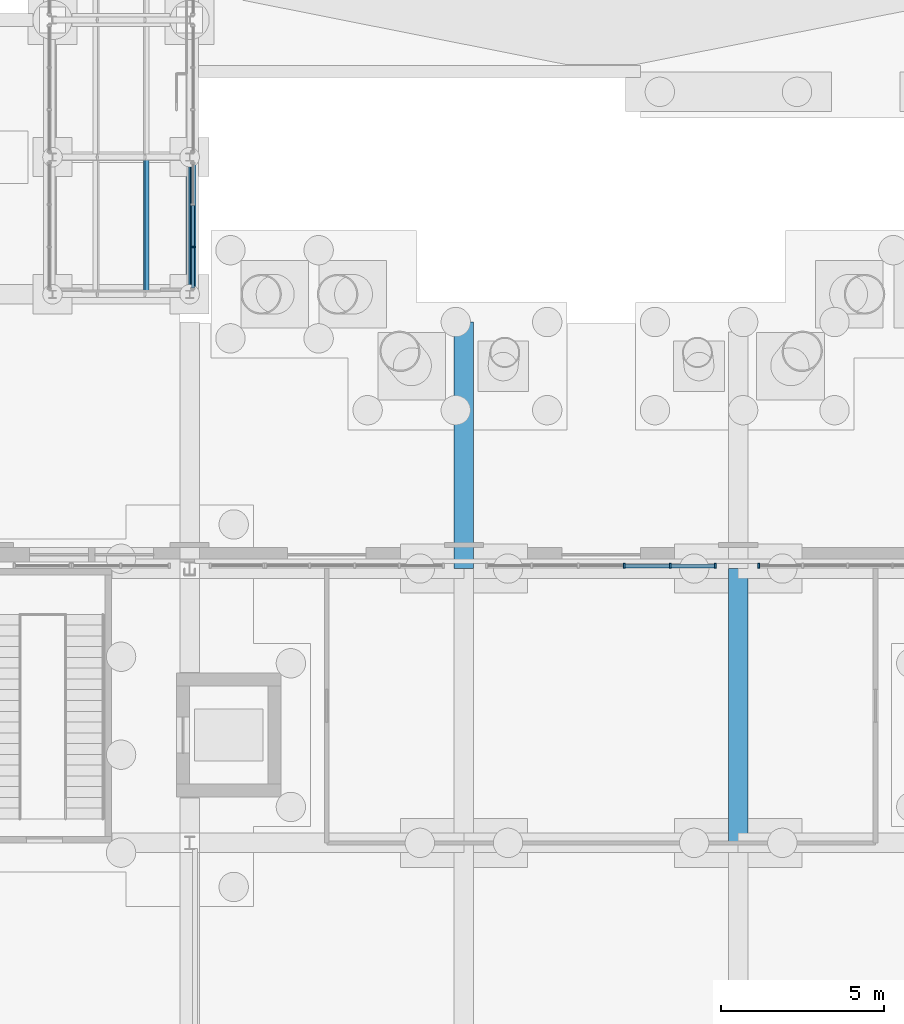
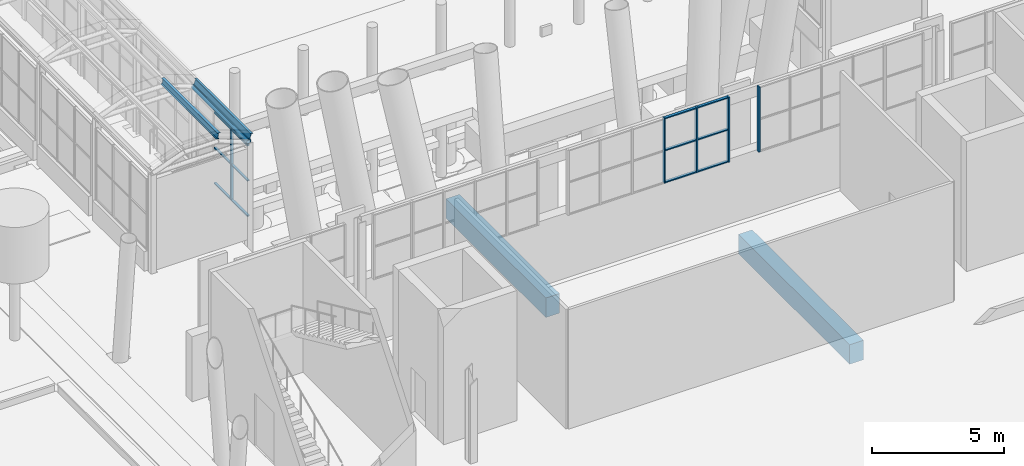
# One storey, part 55 of 222: 19 members, 3 beams, 3 elements without a shape of their own.
"""IFC4 building model written with IfcOpenShell, lengths in metres."""

import ifcopenshell
import ifcopenshell.guid

model = None  # the IFC model being written
_history = None  # IfcOwnerHistory: only IFC2X3 demands one
_inside = {}  # id of a spatial element -> (the spatial element, [elements in it])
_under = {}  # id of a project, library or spatial element -> (it, [spatial elements below it])
_declared = {}  # id of a project -> (the project, [libraries it declares])
_typed = {}  # id of a type object -> (the type object, [elements of that type])
_made_of = {}  # id of a material, layer set ... -> (it, [elements and type objects made of it])


def new_model(schema):
    """Start an empty IFC model of exactly this schema.

    Asked for "IFC4X3", IfcOpenShell would pick the latest addendum, in which some entities
    have other attributes; the version numbers below select the first issue.
    IFC2X3 requires an IfcOwnerHistory on every rooted entity: one is made here for all.
    """
    global model, _history
    if schema == "IFC4X3":
        model = ifcopenshell.file(schema_version=(4, 3, 0, 0))
    else:
        model = ifcopenshell.file(schema=schema)
    _inside.clear()
    _under.clear()
    _declared.clear()
    _typed.clear()
    _made_of.clear()
    _history = None
    if model.schema == "IFC2X3":
        org = make("IfcOrganization", Name="unknown")
        user = make(
            "IfcPersonAndOrganization",
            ThePerson=make("IfcPerson", FamilyName="unknown"),
            TheOrganization=org,
        )
        app = make(
            "IfcApplication",
            ApplicationDeveloper=org,
            Version="unknown",
            ApplicationFullName="unknown",
            ApplicationIdentifier="unknown",
        )
        _history = make(
            "IfcOwnerHistory",
            OwningUser=user,
            OwningApplication=app,
            ChangeAction="ADDED",
            CreationDate=0,
        )
    return model


def make(cls, **values):
    """One entity of the class cls with the attributes given. An attribute that is None is left unset."""
    return model.create_entity(
        cls, **{name: value for name, value in values.items() if value is not None}
    )


def rooted(cls, **values):
    """An entity with a GlobalId (a new one), such as an element, a storey or a relation."""
    return make(cls, GlobalId=ifcopenshell.guid.new(), OwnerHistory=_history, **values)


def si_unit(unit_type, name, prefix=None):
    """IfcSIUnit, for example si_unit("LENGTHUNIT", "METRE", prefix="MILLI")."""
    return make("IfcSIUnit", UnitType=unit_type, Prefix=prefix, Name=name)


def assignment(units):
    """IfcUnitAssignment: the units of a project."""
    return None if units is None else make("IfcUnitAssignment", Units=units)


def point(xyz):
    """IfcCartesianPoint."""
    return None if xyz is None else make("IfcCartesianPoint", Coordinates=xyz)


def direction(xyz):
    """IfcDirection."""
    return None if xyz is None else make("IfcDirection", DirectionRatios=xyz)


def frame(location, z_axis=None, x_axis=None):
    """IfcAxis2Placement3D, a coordinate frame: its origin and axes. An axis left out is left unset."""
    return make(
        "IfcAxis2Placement3D",
        Location=point(location),
        Axis=direction(z_axis),
        RefDirection=direction(x_axis),
    )


def frame_2d(location, x_axis=None):
    """IfcAxis2Placement2D, a coordinate frame in the plane: its origin and x axis."""
    return make(
        "IfcAxis2Placement2D", Location=point(location), RefDirection=direction(x_axis)
    )


def origin():
    """The frame at (0, 0, 0) with its axes left unset."""
    return frame((0.0, 0.0, 0.0))


def origin_2d():
    """The frame at (0, 0) in the plane with its x axis left unset."""
    return frame_2d((0.0, 0.0))


def place(relative_to, where):
    """IfcLocalPlacement: puts the frame where relative to a parent placement (None: the world)."""
    return make(
        "IfcLocalPlacement", PlacementRelTo=relative_to, RelativePlacement=where
    )


def context(
    kind, dimensions, precision=None, world=None, true_north=None, identifier=None
):
    """IfcGeometricRepresentationContext, for example the 3D "Model" context."""
    return make(
        "IfcGeometricRepresentationContext",
        ContextIdentifier=identifier,
        ContextType=kind,
        CoordinateSpaceDimension=dimensions,
        Precision=precision,
        WorldCoordinateSystem=world,
        TrueNorth=true_north,
    )


def subcontext(parent, identifier, kind, view, scale=None):
    """IfcGeometricRepresentationSubContext, for example "Body" below "Model"."""
    return make(
        "IfcGeometricRepresentationSubContext",
        ContextIdentifier=identifier,
        ContextType=kind,
        ParentContext=parent,
        TargetScale=scale,
        TargetView=view,
    )


def project(units=None, contexts=None):
    """IfcProject with its units and contexts."""
    return rooted(
        "IfcProject",
        Name="project",
        RepresentationContexts=contexts,
        UnitsInContext=assignment(units),
    )


def spatial(cls, under=None, at=None, **own):
    """A site, building, storey or space (cls), placed at a placement, below another one or the project."""
    s = rooted(cls, ObjectPlacement=at, **own)
    if under is not None:
        _under.setdefault(under.id(), (under, []))[1].append(s)
    return s


def profile(cls, at=None, kind="AREA", **sizes):
    """A parametric profile (cls). Its sizes go by their IFC names, for example OverallWidth=200.0."""
    return make(cls, ProfileType=kind, Position=at, **sizes)


def rectangle(**sizes):
    """IfcRectangleProfileDef."""
    return profile("IfcRectangleProfileDef", **sizes)


def hollow_circle(**sizes):
    """IfcCircleHollowProfileDef."""
    return profile("IfcCircleHollowProfileDef", **sizes)


def i_section(**sizes):
    """IfcIShapeProfileDef."""
    return profile("IfcIShapeProfileDef", **sizes)


def extrude(swept, where, along, depth):
    """IfcExtrudedAreaSolid: the profile swept, set in the frame where, extruded along a direction by depth."""
    return make(
        "IfcExtrudedAreaSolid",
        SweptArea=swept,
        Position=where,
        ExtrudedDirection=direction(along),
        Depth=depth,
    )


def shape(context_of_items, identifier, shape_type, items):
    """IfcShapeRepresentation: the items that make up one representation, for example the "Body"."""
    return make(
        "IfcShapeRepresentation",
        ContextOfItems=context_of_items,
        RepresentationIdentifier=identifier,
        RepresentationType=shape_type,
        Items=items,
    )


def material(Name=None, Category=None):
    """IfcMaterial."""
    return make("IfcMaterial", Name=Name, Category=Category)


def material_profile(
    of_material, cross_section, Name=None, Category=None, Priority=None
):
    """IfcMaterialProfile: a cross section and its material."""
    return make(
        "IfcMaterialProfile",
        Name=Name,
        Material=of_material,
        Profile=cross_section,
        Priority=Priority,
        Category=Category,
    )


def profile_set(profiles, Name=None, composite=None):
    """IfcMaterialProfileSet."""
    return make(
        "IfcMaterialProfileSet",
        Name=Name,
        MaterialProfiles=profiles,
        CompositeProfile=composite,
    )


def made_of(thing, what):
    """Note that an element or type object is made of a material, layer set ...; save() writes the relation."""
    if what is not None:
        _made_of.setdefault(what.id(), (what, []))[1].append(thing)
    return thing


def type_object(cls, material=None, **own):
    """A type object (cls), such as IfcWallType, which elements share."""
    return made_of(rooted(cls, **own), material)


def element(
    cls,
    number,
    at=None,
    inside=None,
    cuts=None,
    type_object=None,
    material=None,
    context=None,
    identifier="Body",
    shape_type=None,
    held_by="IfcProductDefinitionShape",
    body=None,
    shapes=None,
    **own,
):
    """One element of the class cls, such as IfcWall. Its Tag is "e" and its number.

    at: its placement. inside: the storey or other place that contains it. cuts: it is an
    opening in that element (IfcRelVoidsElement). A single representation is given by context,
    identifier, shape_type and body (its items); several are given by shapes. held_by: the class
    of the entity that holds the representations. save() writes the other relations.
    """
    e = rooted(cls, Tag="e%d" % number, ObjectPlacement=at, **own)
    if body is not None:
        shapes = [shape(context, identifier, shape_type, body)]
    if shapes is not None:
        e.Representation = make(held_by, Representations=shapes)
    if inside is not None:
        _inside.setdefault(inside.id(), (inside, []))[1].append(e)
    if cuts is not None:
        rooted(
            "IfcRelVoidsElement", RelatingBuildingElement=cuts, RelatedOpeningElement=e
        )
    if type_object is not None:
        _typed.setdefault(type_object.id(), (type_object, []))[1].append(e)
    return made_of(e, material)


def aggregate(whole, parts):
    """IfcRelAggregates: a whole, such as a stair, and the parts it consists of."""
    return rooted("IfcRelAggregates", RelatingObject=whole, RelatedObjects=parts)


def save(model, path):
    """Write the relations noted so far, then the file.

    IfcRelAggregates (storeys below a building ...), IfcRelContainedInSpatialStructure (elements
    in a storey), IfcRelDefinesByType, IfcRelAssociatesMaterial and IfcRelDeclares: one each for
    every whole, place, type object, material and project.
    """
    for whole, parts in _under.values():
        aggregate(whole, parts)
    for where, things in _inside.values():
        rooted(
            "IfcRelContainedInSpatialStructure",
            RelatedElements=things,
            RelatingStructure=where,
        )
    for kind, things in _typed.values():
        rooted("IfcRelDefinesByType", RelatedObjects=things, RelatingType=kind)
    for what, things in _made_of.values():
        rooted("IfcRelAssociatesMaterial", RelatedObjects=things, RelatingMaterial=what)
    for by, libraries in _declared.values():
        rooted("IfcRelDeclares", RelatingContext=by, RelatedDefinitions=libraries)
    model.write(path)


model = new_model("IFC4")

# Units and contexts
model_context = context("Model", 3, precision=1e-05, world=origin(), true_north=direction((0.0, 1.0)))
body_context = subcontext(model_context, "Body", "Model", "MODEL_VIEW")
ifc_project = project(units=[si_unit("LENGTHUNIT", "METRE"), si_unit("AREAUNIT", "SQUARE_METRE"), si_unit("VOLUMEUNIT", "CUBIC_METRE"), si_unit("PLANEANGLEUNIT", "RADIAN"), si_unit("MASSUNIT", "GRAM", prefix="KILO")], contexts=[model_context])

# Site, building, storey
site_placement = place(None, origin())
site = spatial("IfcSite", under=ifc_project, at=site_placement, CompositionType="ELEMENT")
building_placement = place(site_placement, origin())
building = spatial("IfcBuilding", under=site, at=building_placement, Name="Sava Quay Ferry Terminal", CompositionType="ELEMENT")
storey_placement = place(building_placement, origin())
storey = spatial("IfcBuildingStorey", under=building, at=storey_placement, Name="L00", CompositionType="ELEMENT", Elevation=0.0)

# Beam
ifc_material_1 = material(Name="Steel S355", Category="steel")
ifc_material_profile_1 = material_profile(ifc_material_1, hollow_circle(Radius=0.096923828125, WallThickness=0.008056640625, at=origin_2d()), Name="CHS 193.7 x 8.0")
ifc_profile_set_1 = profile_set([ifc_material_profile_1], Name="Steel S355")
beam_type_1 = type_object("IfcBeamType", Name="Gallery eave beam CHS 193.7x8", PredefinedType="BEAM", material=ifc_profile_set_1)
beam_1_placement = place(storey_placement, frame((50.39990234375, 109.199951171875, 4.5), z_axis=(0.0, 1.0, 0.0), x_axis=(-1.0, 0.0, 0.0)))
element("IfcBeam", 1, at=beam_1_placement, inside=storey, type_object=beam_type_1, Name="Boarding gallery B1 eave beam R1", PredefinedType="BEAM", context=body_context, shape_type="SweptSolid", body=[
    extrude(hollow_circle(Radius=0.096923828125, WallThickness=0.008056640625, at=origin_2d()), origin(), (0.0, 0.0, 1.0), 4.199951171875),
])

# Members
ifc_material_2 = material(Name="Steel S355", Category="steel")
ifc_material_profile_2 = material_profile(ifc_material_2, i_section(OverallWidth=0.135009765625, OverallDepth=0.27001953125, WebThickness=0.006591796875, FlangeThickness=0.01025390625, at=origin_2d()), Name="IPE 270")
ifc_profile_set_2 = profile_set([ifc_material_profile_2], Name="Steel S355")
member_type_1 = type_object("IfcMemberType", Name="Gallery purlin IPE 270", PredefinedType="PURLIN", material=ifc_profile_set_2)
for number, where, z_axis, x_axis, name in (
    (2, (49.0703125, 109.199951171875, 5.230712890625), (0.0, 1.0, 0.0), (-0.984807753012, 0.0, 0.173648177667), "Boarding gallery B1 purlin bay 1 V2"),
    (3, (50.479248046875, 109.199951171875, 4.718017578125), (0.0, 1.0, 0.0), (-0.939692620786, 0.0, 0.342020143326), "Boarding gallery B1 edge purlin bay 1 V3"),
):
    element("IfcMember", number, at=place(storey_placement, frame(where, z_axis=z_axis, x_axis=x_axis)), inside=storey, type_object=member_type_1, Name=name, PredefinedType="PURLIN", context=body_context, shape_type="SweptSolid", body=[
        extrude(i_section(OverallWidth=0.135009765625, OverallDepth=0.27001953125, WebThickness=0.006591796875, FlangeThickness=0.01025390625, at=origin_2d()), origin(), (0.0, 0.0, 1.0), 4.199951171875),
    ])

# Curtain wall, member
ifc_material_3 = material(Name="Aluminium and glass curtain wall, double glazed", Category="aluminium")
curtain_wall_type_1 = type_object("IfcCurtainWallType", Name="Curtain wall CW-B gallery", PredefinedType="NOTDEFINED", material=ifc_material_3)
curtain_wall_1_placement = place(storey_placement, origin())
curtain_wall_1 = element("IfcCurtainWall", 4, at=curtain_wall_1_placement, inside=storey, type_object=curtain_wall_type_1, Name="Curtain wall B1-E L00 bay 1", PredefinedType="NOTDEFINED")
ifc_material_4 = material(Name="Aluminium EN AW-6063 T6", Category="aluminium")
ifc_material_profile_3 = material_profile(ifc_material_4, rectangle(XDim=0.1201171875, YDim=0.050048828125, at=origin_2d()), Name="Mullion 50x120 aluminium")
ifc_profile_set_3 = profile_set([ifc_material_profile_3], Name="Aluminium EN AW-6063 T6")
member_type_2 = type_object("IfcMemberType", Name="Mullion 50x120 aluminium", PredefinedType="MULLION", material=ifc_profile_set_3)
member_1_placement = place(storey_placement, frame((50.5, 110.64990234375, 0.89990234375), z_axis=(0.0, 0.0, 1.0), x_axis=(-1.0, 0.0, 0.0)))
member_1 = element("IfcMember", 5, at=member_1_placement, type_object=member_type_2, Name="CW1 mullion 2", PredefinedType="MULLION", context=body_context, shape_type="SweptSolid", body=[
    extrude(rectangle(XDim=0.1201171875, YDim=0.050048828125, at=origin_2d()), origin(), (0.0, 0.0, 1.0), 3.300048828125),
])

# Curtain wall, members
ifc_material_5 = material(Name="Aluminium and glass curtain wall, double low-e glazed", Category="aluminium")
curtain_wall_type_2 = type_object("IfcCurtainWallType", Name="Curtain wall CW-G gable", PredefinedType="NOTDEFINED", material=ifc_material_5)
curtain_wall_2_placement = place(storey_placement, origin())
curtain_wall_2 = element("IfcCurtainWall", 6, at=curtain_wall_2_placement, inside=storey, type_object=curtain_wall_type_2, Name="Curtain wall D-N L00 bay 31", PredefinedType="NOTDEFINED")
ifc_material_6 = material(Name="Aluminium EN AW-6063 T6", Category="aluminium")
ifc_material_profile_4 = material_profile(ifc_material_6, rectangle(XDim=0.14990234375, YDim=0.06005859375, at=origin_2d()), Name="Mullion 60x150 aluminium")
ifc_profile_set_4 = profile_set([ifc_material_profile_4], Name="Aluminium EN AW-6063 T6")
member_type_3 = type_object("IfcMemberType", Name="Mullion 60x150 aluminium", PredefinedType="MULLION", material=ifc_profile_set_4)
member_2_placement = place(storey_placement, frame((63.7060546875, 100.885009765625, 3.0), z_axis=(0.0, 0.0, 1.0), x_axis=(0.0, 1.0, 0.0)))
member_2 = element("IfcMember", 7, at=member_2_placement, type_object=member_type_3, Name="CW69 mullion 4", PredefinedType="MULLION", context=body_context, shape_type="SweptSolid", body=[
    extrude(rectangle(XDim=0.14990234375, YDim=0.06005859375, at=origin_2d()), origin(), (0.0, 0.0, 1.0), 3.0),
])
member_3_placement = place(storey_placement, frame((65.117919921875, 100.885009765625, 3.0), z_axis=(0.0, 0.0, 1.0), x_axis=(0.0, 1.0, 0.0)))
member_3 = element("IfcMember", 8, at=member_3_placement, type_object=member_type_3, Name="CW69 mullion 5", PredefinedType="MULLION", context=body_context, shape_type="SweptSolid", body=[
    extrude(rectangle(XDim=0.14990234375, YDim=0.06005859375, at=origin_2d()), origin(), (0.0, 0.0, 1.0), 3.0),
])
member_4_placement = place(storey_placement, frame((66.5, 100.885009765625, 3.0), z_axis=(0.0, 0.0, 1.0), x_axis=(0.0, 1.0, 0.0)))
member_4 = element("IfcMember", 9, at=member_4_placement, type_object=member_type_3, Name="CW69 mullion 6", PredefinedType="MULLION", context=body_context, shape_type="SweptSolid", body=[
    extrude(rectangle(XDim=0.14990234375, YDim=0.06005859375, at=origin_2d()), origin(), (0.0, 0.0, 1.0), 3.0),
])

# Curtain wall, member
curtain_wall_3_placement = place(storey_placement, origin())
curtain_wall_3 = element("IfcCurtainWall", 10, at=curtain_wall_3_placement, inside=storey, type_object=curtain_wall_type_2, Name="Curtain wall D-N L00 bay 41", PredefinedType="NOTDEFINED")
member_5_placement = place(storey_placement, frame((67.830078125, 100.885009765625, 3.0), z_axis=(0.0, 0.0, 1.0), x_axis=(0.0, 1.0, 0.0)))
member_5 = element("IfcMember", 11, at=member_5_placement, type_object=member_type_3, Name="CW73 mullion 1", PredefinedType="MULLION", context=body_context, shape_type="SweptSolid", body=[
    extrude(rectangle(XDim=0.14990234375, YDim=0.06005859375, at=origin_2d()), origin(), (0.0, 0.0, 1.0), 3.0),
])
aggregate(curtain_wall_3, [member_5])

# Beams
ifc_material_7 = material(Name="Concrete C40/50", Category="concrete")
ifc_material_profile_5 = material_profile(ifc_material_7, rectangle(XDim=0.60009765625, YDim=0.89990234375, at=origin_2d()), Name="RC 600x900")
ifc_profile_set_5 = profile_set([ifc_material_profile_5], Name="Concrete C40/50")
beam_type_2 = type_object("IfcBeamType", Name="RC deck beam 600x900", PredefinedType="BEAM", material=ifc_profile_set_5)
beam_2_placement = place(storey_placement, frame((58.800048828125, 100.800048828125, -0.89990234375), z_axis=(0.0, 1.0, 0.0), x_axis=(-1.0, 0.0, 0.0)))
element("IfcBeam", 12, at=beam_2_placement, inside=storey, type_object=beam_type_2, Name="Deck beam Y58.8-100.8", PredefinedType="BEAM", context=body_context, shape_type="SweptSolid", body=[
    extrude(rectangle(XDim=0.60009765625, YDim=0.89990234375, at=origin_2d()), origin(), (0.0, 0.0, 1.0), 7.550048828125),
])
beam_3_placement = place(storey_placement, frame((67.199951171875, 92.39990234375, -0.89990234375), z_axis=(0.0, 1.0, 0.0), x_axis=(-1.0, 0.0, 0.0)))
element("IfcBeam", 13, at=beam_3_placement, inside=storey, type_object=beam_type_2, Name="Deck beam Y67.2-92.4", PredefinedType="BEAM", context=body_context, shape_type="SweptSolid", body=[
    extrude(rectangle(XDim=0.60009765625, YDim=0.89990234375, at=origin_2d()), origin(), (0.0, 0.0, 1.0), 8.400146484375),
])

# Member
ifc_material_8 = material(Name="Aluminium EN AW-6063 T6", Category="aluminium")
ifc_material_profile_6 = material_profile(ifc_material_8, rectangle(XDim=0.10009765625, YDim=0.050048828125, at=origin_2d()), Name="Transom 50x100 aluminium")
ifc_profile_set_6 = profile_set([ifc_material_profile_6], Name="Aluminium EN AW-6063 T6")
member_type_4 = type_object("IfcMemberType", Name="Transom 50x100 aluminium", PredefinedType="USERDEFINED", material=ifc_profile_set_6)
member_6_placement = place(storey_placement, frame((50.5, 109.39990234375, 0.925048828125), z_axis=(0.0, 1.0, 0.0), x_axis=(-1.0, 0.0, 0.0)))
member_6 = element("IfcMember", 14, at=member_6_placement, type_object=member_type_4, Name="CW1 transom 1.1", ObjectType="TRANSOM", PredefinedType="USERDEFINED", context=body_context, shape_type="SweptSolid", body=[
    extrude(rectangle(XDim=0.10009765625, YDim=0.050048828125, at=origin_2d()), origin(), (0.0, 0.0, 1.0), 1.22509765625),
])

member_7_placement = place(storey_placement, frame((50.5, 109.39990234375, 2.550048828125), z_axis=(0.0, 1.0, 0.0), x_axis=(-1.0, 0.0, 0.0)))
member_7 = element("IfcMember", 15, at=member_7_placement, type_object=member_type_4, Name="CW1 transom 1.2", ObjectType="TRANSOM", PredefinedType="USERDEFINED", context=body_context, shape_type="SweptSolid", body=[
    extrude(rectangle(XDim=0.10009765625, YDim=0.050048828125, at=origin_2d()), origin(), (0.0, 0.0, 1.0), 1.22509765625),
])

member_8_placement = place(storey_placement, frame((50.5, 109.39990234375, 4.175048828125), z_axis=(0.0, 1.0, 0.0), x_axis=(-1.0, 0.0, 0.0)))
member_8 = element("IfcMember", 16, at=member_8_placement, type_object=member_type_4, Name="CW1 transom 1.3", ObjectType="TRANSOM", PredefinedType="USERDEFINED", context=body_context, shape_type="SweptSolid", body=[
    extrude(rectangle(XDim=0.10009765625, YDim=0.050048828125, at=origin_2d()), origin(), (0.0, 0.0, 1.0), 1.22509765625),
])

member_9_placement = place(storey_placement, frame((50.5, 110.675048828125, 0.925048828125), z_axis=(0.0, 1.0, 0.0), x_axis=(-1.0, 0.0, 0.0)))
member_9 = element("IfcMember", 17, at=member_9_placement, type_object=member_type_4, Name="CW1 transom 2.1", ObjectType="TRANSOM", PredefinedType="USERDEFINED", context=body_context, shape_type="SweptSolid", body=[
    extrude(rectangle(XDim=0.10009765625, YDim=0.050048828125, at=origin_2d()), origin(), (0.0, 0.0, 1.0), 1.25),
])

member_10_placement = place(storey_placement, frame((50.5, 110.675048828125, 2.550048828125), z_axis=(0.0, 1.0, 0.0), x_axis=(-1.0, 0.0, 0.0)))
member_10 = element("IfcMember", 18, at=member_10_placement, type_object=member_type_4, Name="CW1 transom 2.2", ObjectType="TRANSOM", PredefinedType="USERDEFINED", context=body_context, shape_type="SweptSolid", body=[
    extrude(rectangle(XDim=0.10009765625, YDim=0.050048828125, at=origin_2d()), origin(), (0.0, 0.0, 1.0), 1.25),
])

member_11_placement = place(storey_placement, frame((50.5, 110.675048828125, 4.175048828125), z_axis=(0.0, 1.0, 0.0), x_axis=(-1.0, 0.0, 0.0)))
member_11 = element("IfcMember", 19, at=member_11_placement, type_object=member_type_4, Name="CW1 transom 2.3", ObjectType="TRANSOM", PredefinedType="USERDEFINED", context=body_context, shape_type="SweptSolid", body=[
    extrude(rectangle(XDim=0.10009765625, YDim=0.050048828125, at=origin_2d()), origin(), (0.0, 0.0, 1.0), 1.25),
])

aggregate(curtain_wall_1, [member_1, member_6, member_7, member_8, member_9, member_10, member_11])

ifc_material_9 = material(Name="Aluminium EN AW-6063 T6", Category="aluminium")
ifc_material_profile_7 = material_profile(ifc_material_9, rectangle(XDim=0.1201171875, YDim=0.050048828125, at=origin_2d()), Name="Transom 50x120 aluminium")
ifc_profile_set_7 = profile_set([ifc_material_profile_7], Name="Aluminium EN AW-6063 T6")
member_type_5 = type_object("IfcMemberType", Name="Transom 50x120 aluminium", PredefinedType="USERDEFINED", material=ifc_profile_set_7)
member_12_placement = place(storey_placement, frame((63.736083984375, 100.885009765625, 3.02490234375), z_axis=(1.0, 0.0, 0.0), x_axis=(0.0, 1.0, 0.0)))
member_12 = element("IfcMember", 20, at=member_12_placement, type_object=member_type_5, Name="CW69 transom 4.1", ObjectType="TRANSOM", PredefinedType="USERDEFINED", context=body_context, shape_type="SweptSolid", body=[
    extrude(rectangle(XDim=0.1201171875, YDim=0.050048828125, at=origin_2d()), origin(), (0.0, 0.0, 1.0), 1.351806640625),
])

member_13_placement = place(storey_placement, frame((63.736083984375, 100.885009765625, 4.5), z_axis=(1.0, 0.0, 0.0), x_axis=(0.0, 1.0, 0.0)))
member_13 = element("IfcMember", 21, at=member_13_placement, type_object=member_type_5, Name="CW69 transom 4.2", ObjectType="TRANSOM", PredefinedType="USERDEFINED", context=body_context, shape_type="SweptSolid", body=[
    extrude(rectangle(XDim=0.1201171875, YDim=0.050048828125, at=origin_2d()), origin(), (0.0, 0.0, 1.0), 1.351806640625),
])

member_14_placement = place(storey_placement, frame((63.736083984375, 100.885009765625, 5.97509765625), z_axis=(1.0, 0.0, 0.0), x_axis=(0.0, 1.0, 0.0)))
member_14 = element("IfcMember", 22, at=member_14_placement, type_object=member_type_5, Name="CW69 transom 4.3", ObjectType="TRANSOM", PredefinedType="USERDEFINED", context=body_context, shape_type="SweptSolid", body=[
    extrude(rectangle(XDim=0.1201171875, YDim=0.050048828125, at=origin_2d()), origin(), (0.0, 0.0, 1.0), 1.351806640625),
])

member_15_placement = place(storey_placement, frame((65.14794921875, 100.885009765625, 3.02490234375), z_axis=(1.0, 0.0, 0.0), x_axis=(0.0, 1.0, 0.0)))
member_15 = element("IfcMember", 23, at=member_15_placement, type_object=member_type_5, Name="CW69 transom 5.1", ObjectType="TRANSOM", PredefinedType="USERDEFINED", context=body_context, shape_type="SweptSolid", body=[
    extrude(rectangle(XDim=0.1201171875, YDim=0.050048828125, at=origin_2d()), origin(), (0.0, 0.0, 1.0), 1.322021484375),
])

member_16_placement = place(storey_placement, frame((65.14794921875, 100.885009765625, 4.5), z_axis=(1.0, 0.0, 0.0), x_axis=(0.0, 1.0, 0.0)))
member_16 = element("IfcMember", 24, at=member_16_placement, type_object=member_type_5, Name="CW69 transom 5.2", ObjectType="TRANSOM", PredefinedType="USERDEFINED", context=body_context, shape_type="SweptSolid", body=[
    extrude(rectangle(XDim=0.1201171875, YDim=0.050048828125, at=origin_2d()), origin(), (0.0, 0.0, 1.0), 1.322021484375),
])

member_17_placement = place(storey_placement, frame((65.14794921875, 100.885009765625, 5.97509765625), z_axis=(1.0, 0.0, 0.0), x_axis=(0.0, 1.0, 0.0)))
member_17 = element("IfcMember", 25, at=member_17_placement, type_object=member_type_5, Name="CW69 transom 5.3", ObjectType="TRANSOM", PredefinedType="USERDEFINED", context=body_context, shape_type="SweptSolid", body=[
    extrude(rectangle(XDim=0.1201171875, YDim=0.050048828125, at=origin_2d()), origin(), (0.0, 0.0, 1.0), 1.322021484375),
])

aggregate(curtain_wall_2, [member_2, member_3, member_4, member_12, member_13, member_14, member_15, member_16, member_17])

save(model, "model.ifc")
